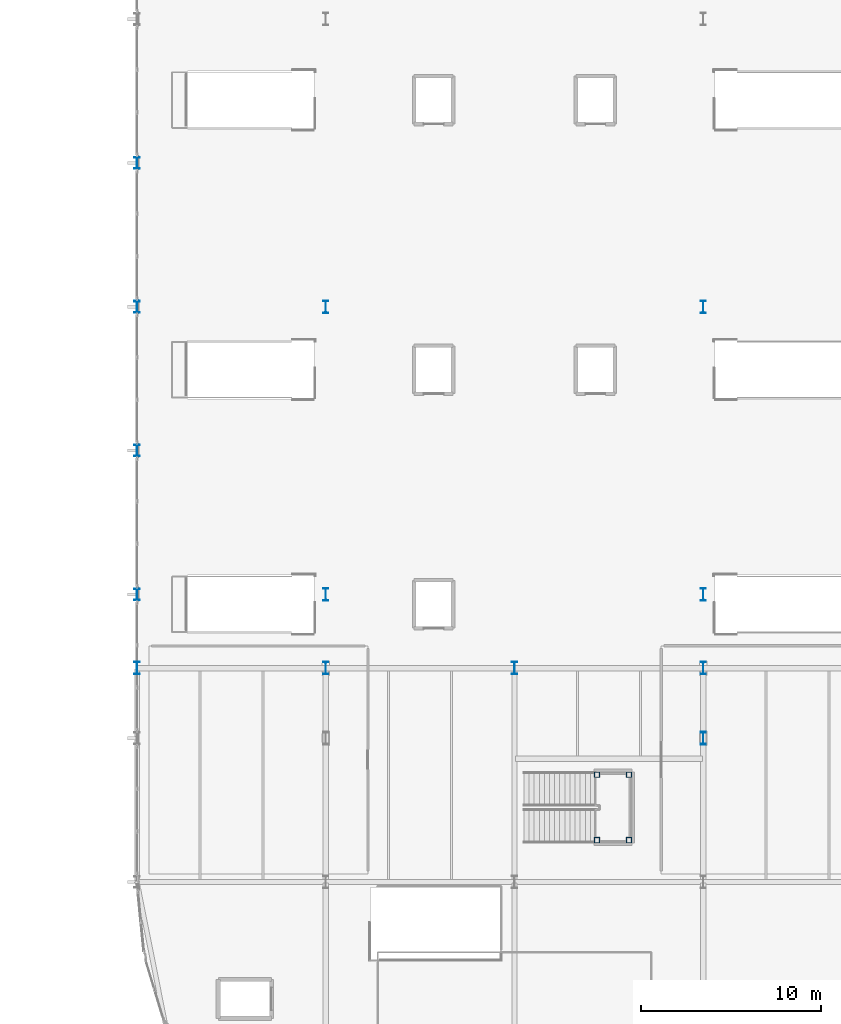
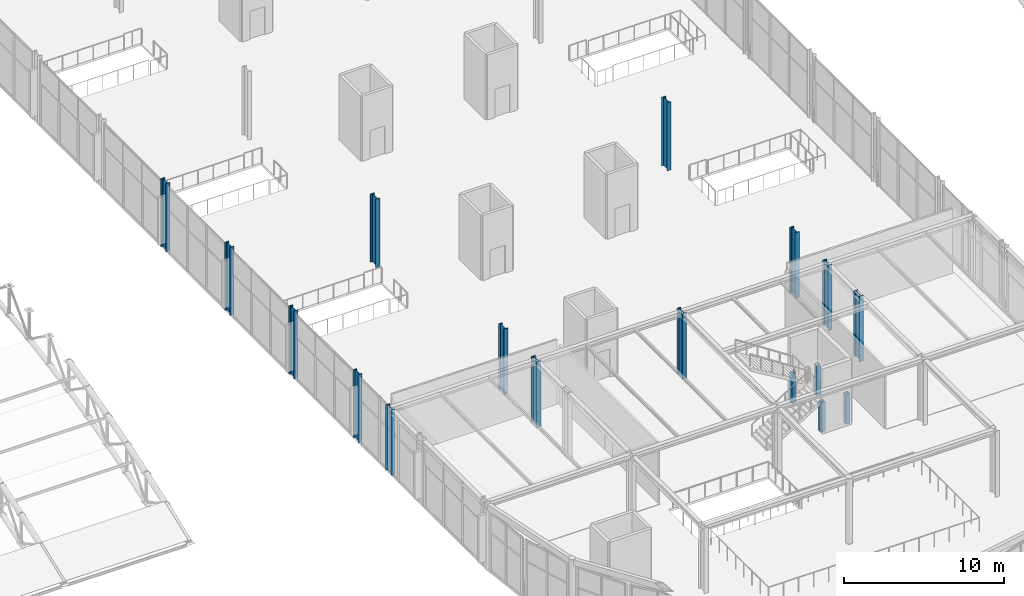
# One storey, part 2 of 195: 17 columns.
"""IFC4 building model written with IfcOpenShell, lengths in metres."""

from ifc_helpers import new_model, si_unit, direction, frame, origin, origin_2d, place, context, subcontext, project, spatial, hollow_rectangle, i_section, extrude, material, material_profile, profile_set, type_object, element, save


model = new_model("IFC4")

# Units and contexts
model_context = context("Model", 3, precision=1e-05, world=origin(), true_north=direction((0.0, 1.0)))
body_context = subcontext(model_context, "Body", "Model", "MODEL_VIEW")
ifc_project = project(units=[si_unit("LENGTHUNIT", "METRE"), si_unit("AREAUNIT", "SQUARE_METRE"), si_unit("VOLUMEUNIT", "CUBIC_METRE"), si_unit("PLANEANGLEUNIT", "RADIAN"), si_unit("MASSUNIT", "GRAM", prefix="KILO")], contexts=[model_context])

# Site, building, storey
site_placement = place(None, origin())
site = spatial("IfcSite", under=ifc_project, at=site_placement, CompositionType="ELEMENT")
building_placement = place(site_placement, origin())
building = spatial("IfcBuilding", under=site, at=building_placement, Name="Marlcrest Central Station", CompositionType="ELEMENT")
storey_placement = place(building_placement, frame((0.0, 0.0, 9.800048828125)))
storey = spatial("IfcBuildingStorey", under=building, at=storey_placement, Name="L02", CompositionType="ELEMENT", Elevation=9.800048828125)

# Columns
ifc_material = material(Name="Steel S355", Category="steel")
ifc_material_profile_1 = material_profile(ifc_material, i_section(OverallWidth=0.300048828125, OverallDepth=0.64990234375, WebThickness=0.01611328125, FlangeThickness=0.031005859375, FilletRadius=0.027099609375, at=origin_2d()), Name="HEB 650")
ifc_profile_set_1 = profile_set([ifc_material_profile_1], Name="Steel S355")
column_type_1 = type_object("IfcColumnType", Name="SC-06", PredefinedType="COLUMN", material=ifc_profile_set_1)
for number, where, z_axis, x_axis, name in (
    (1, (87.0, 38.5, 0.0), (0.0, 0.0, 1.0), (1.0, 0.0, 0.0), "col-SC-06-L02-0703"),
    (2, (87.0, 46.5, 0.0), (0.0, 0.0, 1.0), (1.0, 0.0, 0.0), "col-SC-06-L02-0711"),
    (3, (87.0, 54.5, 0.0), (0.0, 0.0, 1.0), (1.0, 0.0, 0.0), "col-SC-06-L02-0715"),
    (4, (87.0, 62.5, 0.0), (0.0, 0.0, 1.0), (1.0, 0.0, 0.0), "col-SC-06-L02-0723"),
):
    element("IfcColumn", number, at=place(storey_placement, frame(where, z_axis=z_axis, x_axis=x_axis)), inside=storey, type_object=column_type_1, Name=name, PredefinedType="COLUMN", context=body_context, shape_type="SweptSolid", body=[
        extrude(i_section(OverallWidth=0.300048828125, OverallDepth=0.64990234375, WebThickness=0.01611328125, FlangeThickness=0.031005859375, FilletRadius=0.027099609375, at=origin_2d()), origin(), (0.0, 0.0, 1.0), 5.199951171875),
    ])
ifc_material_profile_2 = material_profile(ifc_material, i_section(OverallWidth=0.300048828125, OverallDepth=0.699951171875, WebThickness=0.01708984375, FlangeThickness=0.031982421875, FilletRadius=0.027099609375, at=origin_2d()), Name="HEB 700")
ifc_profile_set_2 = profile_set([ifc_material_profile_2], Name="Steel S355")
column_type_2 = type_object("IfcColumnType", Name="SC-07", PredefinedType="COLUMN", material=ifc_profile_set_2)
for number, where, z_axis, x_axis, name in (
    (5, (118.5, 30.5, 0.0), (0.0, 0.0, 1.0), (1.0, 0.0, 0.0), "col-SC-07-L02-0699"),
    (6, (97.5, 38.5, 0.0), (0.0, 0.0, 1.0), (1.0, 0.0, 0.0), "col-SC-07-L02-0705"),
    (7, (118.5, 38.5, 0.0), (0.0, 0.0, 1.0), (1.0, 0.0, 0.0), "col-SC-07-L02-0707"),
):
    element("IfcColumn", number, at=place(storey_placement, frame(where, z_axis=z_axis, x_axis=x_axis)), inside=storey, type_object=column_type_2, Name=name, PredefinedType="COLUMN", context=body_context, shape_type="SweptSolid", body=[
        extrude(i_section(OverallWidth=0.300048828125, OverallDepth=0.699951171875, WebThickness=0.01708984375, FlangeThickness=0.031982421875, FilletRadius=0.027099609375, at=origin_2d()), origin(), (0.0, 0.0, 1.0), 5.0),
    ])
for number, where, z_axis, x_axis, name in (
    (8, (97.5, 54.5, 0.0), (0.0, 0.0, 1.0), (1.0, 0.0, 0.0), "col-SC-07-L02-0717"),
    (9, (118.5, 54.5, 0.0), (0.0, 0.0, 1.0), (1.0, 0.0, 0.0), "col-SC-07-L02-0719"),
):
    element("IfcColumn", number, at=place(storey_placement, frame(where, z_axis=z_axis, x_axis=x_axis)), inside=storey, type_object=column_type_2, Name=name, PredefinedType="COLUMN", context=body_context, shape_type="SweptSolid", body=[
        extrude(i_section(OverallWidth=0.300048828125, OverallDepth=0.699951171875, WebThickness=0.01708984375, FlangeThickness=0.031982421875, FilletRadius=0.027099609375, at=origin_2d()), origin(), (0.0, 0.0, 1.0), 5.199951171875),
    ])
for number, where, z_axis, x_axis, name in (
    (10, (87.0, 34.39990234375, 0.0), (0.0, 0.0, 1.0), (1.0, 0.0, 0.0), "col-SC-07-L02-0830"),
    (11, (97.5, 34.39990234375, 0.0), (0.0, 0.0, 1.0), (1.0, 0.0, 0.0), "col-SC-07-L02-0833"),
    (12, (108.0, 34.39990234375, 0.0), (0.0, 0.0, 1.0), (1.0, 0.0, 0.0), "col-SC-07-L02-0836"),
    (13, (118.5, 34.39990234375, 0.0), (0.0, 0.0, 1.0), (1.0, 0.0, 0.0), "col-SC-07-L02-0839"),
):
    element("IfcColumn", number, at=place(storey_placement, frame(where, z_axis=z_axis, x_axis=x_axis)), inside=storey, type_object=column_type_2, Name=name, PredefinedType="COLUMN", context=body_context, shape_type="SweptSolid", body=[
        extrude(i_section(OverallWidth=0.300048828125, OverallDepth=0.699951171875, WebThickness=0.01708984375, FlangeThickness=0.031982421875, FilletRadius=0.027099609375, at=origin_2d()), origin(), (0.0, 0.0, 1.0), 4.994873046875),
    ])
ifc_material_profile_3 = material_profile(ifc_material, hollow_rectangle(XDim=0.300048828125, YDim=0.300048828125, WallThickness=0.01611328125, at=origin_2d()), Name="SHS 300x300x16")
ifc_profile_set_3 = profile_set([ifc_material_profile_3], Name="Steel S355")
column_type_3 = type_object("IfcColumnType", Name="SC-19", PredefinedType="COLUMN", material=ifc_profile_set_3)
for number, where, z_axis, x_axis, name in (
    (14, (112.590087890625, 24.830078125, 0.0), (0.0, 0.0, 1.0), (1.0, 0.0, 0.0), "htcol-lo-0035-0"),
    (15, (114.3701171875, 24.830078125, 0.0), (0.0, 0.0, 1.0), (1.0, 0.0, 0.0), "htcol-lo-0035-1"),
    (16, (114.3701171875, 28.469970703125, 0.0), (0.0, 0.0, 1.0), (1.0, 0.0, 0.0), "htcol-lo-0035-2"),
    (17, (112.590087890625, 28.469970703125, 0.0), (0.0, 0.0, 1.0), (1.0, 0.0, 0.0), "htcol-lo-0035-3"),
):
    element("IfcColumn", number, at=place(storey_placement, frame(where, z_axis=z_axis, x_axis=x_axis)), inside=storey, type_object=column_type_3, Name=name, PredefinedType="COLUMN", context=body_context, shape_type="SweptSolid", body=[
        extrude(hollow_rectangle(XDim=0.300048828125, YDim=0.300048828125, WallThickness=0.01611328125, at=origin_2d()), origin(), (0.0, 0.0, 1.0), 2.280029296875),
    ])

save(model, "model.ifc")
